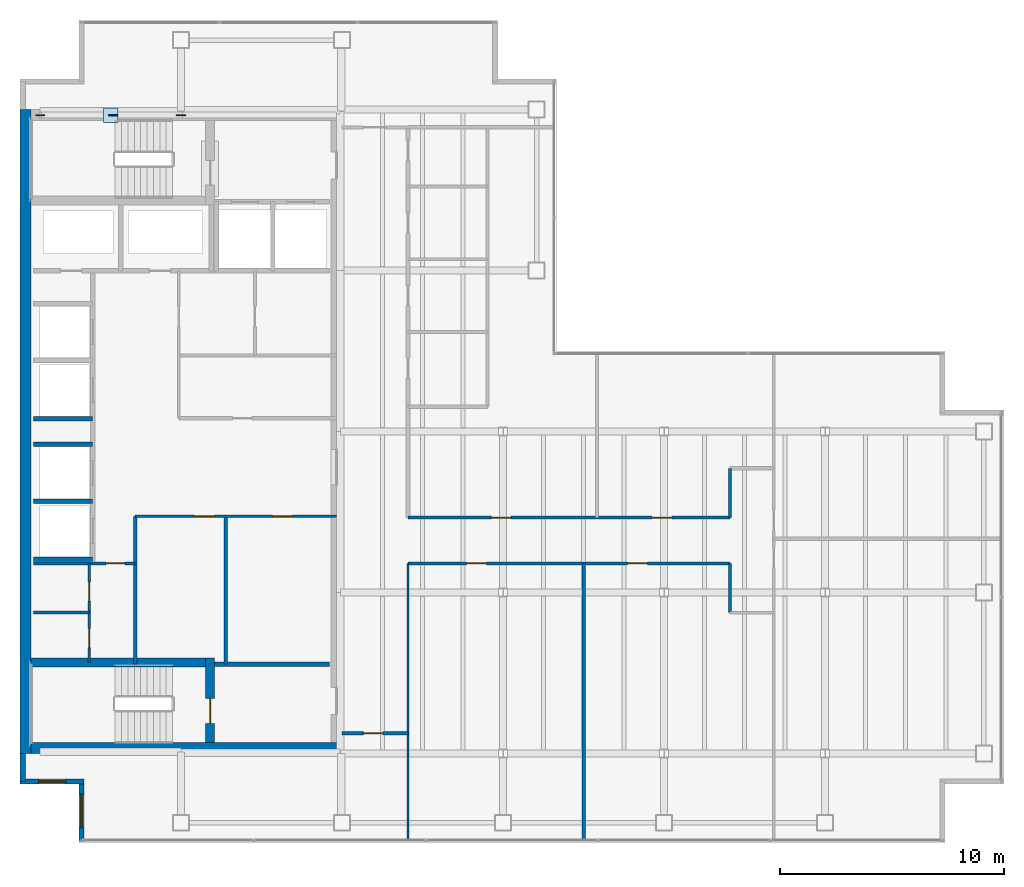
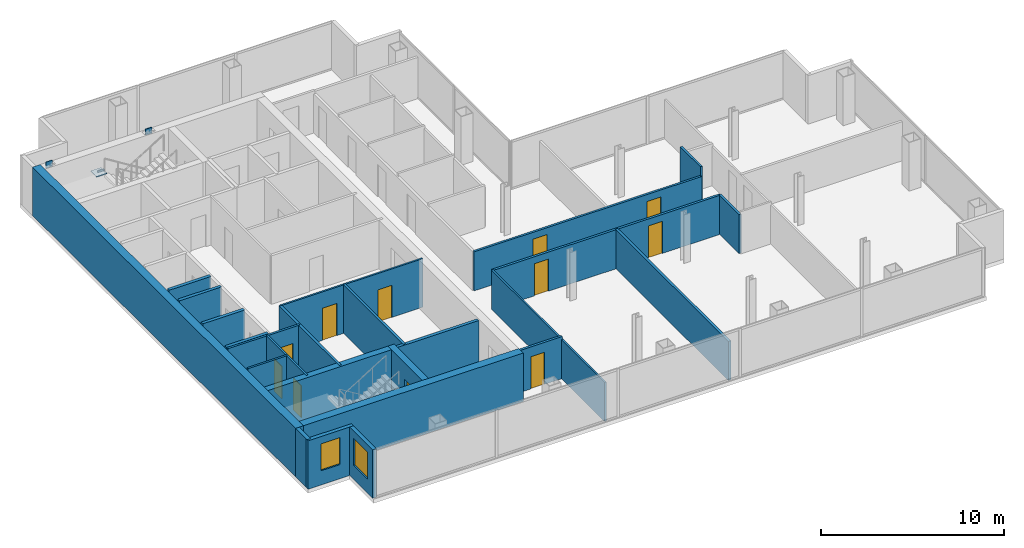
# One storey, part 20 of 23: 26 walls, 11 doors, 4 plates, 2 windows, 13 openings.
"""IFC4 building model written with IfcOpenShell, lengths in metres."""

from ifc_helpers import new_model, si_unit, direction, frame, frame_2d, origin, origin_2d, place, context, subcontext, project, spatial, rectangle, extrude, material, layer, layer_set, type_object, element, fill, save


model = new_model("IFC4")

# Units and contexts
model_context = context("Model", 3, precision=1e-05, world=origin(), true_north=direction((0.0, 1.0)))
body_context = subcontext(model_context, "Body", "Model", "MODEL_VIEW")
ifc_project = project(units=[si_unit("LENGTHUNIT", "METRE"), si_unit("AREAUNIT", "SQUARE_METRE"), si_unit("VOLUMEUNIT", "CUBIC_METRE"), si_unit("PLANEANGLEUNIT", "RADIAN"), si_unit("MASSUNIT", "GRAM", prefix="KILO")], contexts=[model_context])

# Site, building, storey
site_placement = place(None, origin())
site = spatial("IfcSite", under=ifc_project, at=site_placement, CompositionType="ELEMENT")
building_placement = place(site_placement, origin())
building = spatial("IfcBuilding", under=site, at=building_placement, Name="Cobrela Telecom Tower", CompositionType="ELEMENT")
storey_placement = place(building_placement, frame((0.0, 0.0, 211.75)))
storey = spatial("IfcBuildingStorey", under=building, at=storey_placement, Name="L54", CompositionType="ELEMENT", Elevation=211.75)

# Plates
ifc_material_1 = material(Name="Steel ASTM A572 Grade 50", Category="steel")
ifc_layer_1 = layer(ifc_material_1, 0.0419921875)
ifc_layer_set_1 = layer_set([ifc_layer_1], Name="Steel ASTM A572 Grade 50")
plate_type = type_object("IfcPlateType", Name="PLT-NODE-ND1", PredefinedType="USERDEFINED", material=ifc_layer_set_1)
for number, where, z_axis, x_axis, name in (
    (1, (7.199951171875, 35.75, 3.0751953125), (0.0, 0.0, 1.0), (1.0, 0.0, 0.0), "Steel node plate PLT-MBR-EXO-L54-N1-A-1"),
    (2, (4.173828125, 35.75, 1.349609375), (0.0, 0.0, 1.0), (-1.0, 0.0, 0.0), "Steel node plate PLT-MBR-EXO-L54-N1-B1-1"),
    (3, (0.89990234375, 35.75, 3.0751953125), (0.0, 0.0, 1.0), (-1.0, 0.0, 0.0), "Steel node plate PLT-MBR-EXO-L54-N1-B2-1"),
):
    element("IfcPlate", number, at=place(storey_placement, frame(where, z_axis=z_axis, x_axis=x_axis)), inside=storey, type_object=plate_type, Name=name, ObjectType="GUSSET PLATE", PredefinedType="USERDEFINED", context=body_context, shape_type="SweptSolid", body=[
        extrude(rectangle(XDim=0.409912109375, YDim=0.044921875, at=origin_2d()), origin(), (0.0, 0.0, 1.0), 0.409912109375),
    ])
plate_placement = place(storey_placement, frame((4.050048828125, 35.75, 1.59765625), z_axis=(0.0, 0.0, 1.0), x_axis=(1.0, 0.0, 0.0)))
element("IfcPlate", 4, at=plate_placement, inside=storey, type_object=plate_type, Name="L54 Core Flange Steel X-Brace Central X-Crossing Gusset Plate", ObjectType="GUSSET PLATE", PredefinedType="USERDEFINED", context=body_context, shape_type="SweptSolid", body=[
    extrude(rectangle(XDim=0.64990234375, YDim=0.64990234375, at=origin_2d()), origin(), (0.0, 0.0, 1.0), 0.044921875),
])

# Walls
ifc_material_2 = material(Name="Concrete C40/50", Category="concrete")
ifc_layer_2 = layer(ifc_material_2, 0.5)
ifc_layer_set_2 = layer_set([ifc_layer_2], Name="Concrete C40/50")
wall_type_1 = type_object("IfcWallType", Name="WALL-CORE-C40-500", PredefinedType="SHEAR", material=ifc_layer_set_2)
wall_1_placement = place(storey_placement, frame((0.25, 7.199951171875, 0.0), z_axis=(0.0, 0.0, 1.0), x_axis=(0.0, 1.0, 0.0)))
element("IfcWall", 5, at=wall_1_placement, inside=storey, type_object=wall_type_1, Name="L54 West Core Shear Wall", PredefinedType="SHEAR", context=body_context, shape_type="SweptSolid", body=[
    extrude(rectangle(XDim=28.800048828125, YDim=0.5, at=frame_2d((14.39990234375, 0.0))), origin(), (0.0, 0.0, 1.0), 3.239990234375),
])
wall_2_placement = place(storey_placement, frame((0.5, 7.449951171875, 0.0), z_axis=(0.0, 0.0, 1.0), x_axis=(1.0, 0.0, 0.0)))
element("IfcWall", 6, at=wall_2_placement, inside=storey, type_object=wall_type_1, Name="L54 South Core Shear Wall", PredefinedType="SHEAR", context=body_context, shape_type="SweptSolid", body=[
    extrude(rectangle(XDim=13.89990234375, YDim=0.5, at=frame_2d((6.949951171875, 0.0))), origin(), (0.0, 0.0, 1.0), 3.239990234375),
])

# Wall, opening, window
ifc_layer_3 = layer(ifc_material_2, 0.239990234375)
ifc_layer_set_3 = layer_set([ifc_layer_3], Name="Concrete C40/50")
wall_type_2 = type_object("IfcWallType", Name="WALL-EXT-300", PredefinedType="STANDARD", material=ifc_layer_set_3)
wall_3_placement = place(storey_placement, frame((2.75, 3.320068359375, 0.0), z_axis=(0.0, 0.0, 1.0), x_axis=(0.0, 1.0, 0.0)))
wall_3 = element("IfcWall", 7, at=wall_3_placement, inside=storey, type_object=wall_type_2, Name="L54 Insulated Facade Wall 01", PredefinedType="STANDARD", context=body_context, shape_type="SweptSolid", body=[
    extrude(rectangle(XDim=2.6298828125, YDim=0.239990234375, at=frame_2d((1.31494140625, 0.0))), origin(), (0.0, 0.0, 1.0), 3.239990234375),
])
opening_1_placement = place(wall_3_placement, frame((0.56494140625, 0.0, 0.949951171875)))
opening_1 = element("IfcOpeningElement", 8, at=opening_1_placement, cuts=wall_3, Name="Opening WN-45", PredefinedType="OPENING", context=body_context, shape_type="SweptSolid", body=[
    extrude(rectangle(XDim=1.5, YDim=1.800048828125, at=frame_2d((0.75, 0.89990234375))), frame((0.0, 0.1318359375, 0.0), z_axis=(0.0, -1.0, 0.0), x_axis=(1.0, 0.0, 0.0)), (0.0, 0.0, 1.0), 0.263916015625),
])
ifc_material_3 = material(Name="Solar-Control Bronze Low-E Glass", Category="glass")
window_type_1 = type_object("IfcWindowType", Name="WIN-MOD-1500", PartitioningType="SINGLE_PANEL", PredefinedType="WINDOW", material=ifc_material_3)
window_1_placement = place(opening_1_placement, origin())
window_1 = element("IfcWindow", 9, at=window_1_placement, inside=storey, type_object=window_type_1, Name="L54 Corner Notch Facade Window 259", OverallHeight=1.800048828125, OverallWidth=1.5, PartitioningType="SINGLE_PANEL", PredefinedType="WINDOW", context=body_context, shape_type="SweptSolid", body=[
    extrude(rectangle(XDim=1.5, YDim=1.800048828125, at=frame_2d((0.75, 0.89990234375))), frame((0.0, 0.030029296875, 0.0), z_axis=(0.0, -1.0, 0.0), x_axis=(1.0, 0.0, 0.0)), (0.0, 0.0, 1.0), 0.06005859375),
])
fill(opening_1, window_1)

wall_4_placement = place(storey_placement, frame((2.8701171875, 5.949951171875, 0.0), z_axis=(0.0, 0.0, 1.0), x_axis=(-1.0, 0.0, 0.0)))
wall_4 = element("IfcWall", 10, at=wall_4_placement, inside=storey, type_object=wall_type_2, Name="L54 Insulated Facade Wall 02", PredefinedType="STANDARD", context=body_context, shape_type="SweptSolid", body=[
    extrude(rectangle(XDim=2.8701171875, YDim=0.239990234375, at=frame_2d((1.43505859375, 0.0))), origin(), (0.0, 0.0, 1.0), 3.239990234375),
])
opening_2_placement = place(wall_4_placement, frame((0.8349609375, 0.0, 0.949951171875)))
opening_2 = element("IfcOpeningElement", 11, at=opening_2_placement, cuts=wall_4, Name="Opening WN-19", PredefinedType="OPENING", context=body_context, shape_type="SweptSolid", body=[
    extrude(rectangle(XDim=1.199951171875, YDim=1.800048828125, at=frame_2d((0.60009765625, 0.89990234375))), frame((0.0, 0.1318359375, 0.0), z_axis=(0.0, -1.0, 0.0), x_axis=(1.0, 0.0, 0.0)), (0.0, 0.0, 1.0), 0.263916015625),
])
window_type_2 = type_object("IfcWindowType", Name="WIN-MOD-1200", PartitioningType="SINGLE_PANEL", PredefinedType="WINDOW", material=ifc_material_3)
window_2_placement = place(opening_2_placement, origin())
window_2 = element("IfcWindow", 12, at=window_2_placement, inside=storey, type_object=window_type_2, Name="L54 Corner Notch Facade Window 260", OverallHeight=1.800048828125, OverallWidth=1.199951171875, PartitioningType="SINGLE_PANEL", PredefinedType="WINDOW", context=body_context, shape_type="SweptSolid", body=[
    extrude(rectangle(XDim=1.199951171875, YDim=1.800048828125, at=frame_2d((0.60009765625, 0.89990234375))), frame((0.0, 0.030029296875, 0.0), z_axis=(0.0, -1.0, 0.0), x_axis=(1.0, 0.0, 0.0)), (0.0, 0.0, 1.0), 0.06005859375),
])
fill(opening_2, window_2)

# Wall
wall_5_placement = place(storey_placement, frame((0.1201171875, 5.949951171875, 0.0), z_axis=(0.0, 0.0, 1.0), x_axis=(0.0, 1.0, 0.0)))
element("IfcWall", 13, at=wall_5_placement, inside=storey, type_object=wall_type_2, Name="L54 Insulated Facade Wall 03", PredefinedType="STANDARD", context=body_context, shape_type="SweptSolid", body=[
    extrude(rectangle(XDim=1.25, YDim=0.239990234375, at=frame_2d((0.625, 0.0))), origin(), (0.0, 0.0, 1.0), 3.239990234375),
])

# Wall, openings, doors
ifc_material_4 = material(Name="Fire-Rated Gypsum Plasterboard")
ifc_layer_4 = layer(ifc_material_4, 0.110107421875)
ifc_layer_set_4 = layer_set([ifc_layer_4], Name="Fire-Rated Gypsum Plasterboard")
wall_type_3 = type_object("IfcWallType", Name="WALL-PART-110", PredefinedType="PARTITIONING", material=ifc_layer_set_4)
wall_6_placement = place(storey_placement, frame((5.14990234375, 17.800048828125, 0.0), z_axis=(0.0, 0.0, 1.0), x_axis=(1.0, 0.0, 0.0)))
wall_6 = element("IfcWall", 14, at=wall_6_placement, inside=storey, type_object=wall_type_3, Name="L54 Interior Partition CW-RECM-N", PredefinedType="PARTITIONING", context=body_context, shape_type="SweptSolid", body=[
    extrude(rectangle(XDim=9.0, YDim=0.110107421875, at=frame_2d((4.5, 0.0))), origin(), (0.0, 0.0, 1.0), 3.239990234375),
])
opening_3_placement = place(wall_6_placement, frame((2.64990234375, 0.0, 0.0)))
opening_3 = element("IfcOpeningElement", 15, at=opening_3_placement, cuts=wall_6, Name="Opening DR-41", PredefinedType="OPENING", context=body_context, shape_type="SweptSolid", body=[
    extrude(rectangle(XDim=0.89990234375, YDim=2.14990234375, at=frame_2d((0.449951171875, 1.074951171875))), frame((0.0, 0.06689453125, 0.0), z_axis=(0.0, -1.0, 0.0), x_axis=(1.0, 0.0, 0.0)), (0.0, 0.0, 1.0), 0.134033203125),
])
opening_4_placement = place(wall_6_placement, frame((6.14990234375, 0.0, 0.0)))
opening_4 = element("IfcOpeningElement", 16, at=opening_4_placement, cuts=wall_6, Name="Opening DR-39", PredefinedType="OPENING", context=body_context, shape_type="SweptSolid", body=[
    extrude(rectangle(XDim=0.8798828125, YDim=2.14990234375, at=frame_2d((0.43994140625, 1.074951171875))), frame((0.0, 0.06689453125, 0.0), z_axis=(0.0, -1.0, 0.0), x_axis=(1.0, 0.0, 0.0)), (0.0, 0.0, 1.0), 0.134033203125),
])
ifc_material_5 = material(Name="Solid Engineered Oak Timber", Category="wood")
door_type_1 = type_object("IfcDoorType", Name="DOOR-INT-880", OperationType="SINGLE_SWING_LEFT", PredefinedType="DOOR", material=ifc_material_5)
door_1_placement = place(opening_4_placement, origin())
door_1 = element("IfcDoor", 17, at=door_1_placement, inside=storey, type_object=door_type_1, Name="L54 Door DR-39", OperationType="SINGLE_SWING_RIGHT", OverallHeight=2.14990234375, OverallWidth=0.8798828125, PredefinedType="DOOR", context=body_context, shape_type="SweptSolid", body=[
    extrude(rectangle(XDim=0.8798828125, YDim=2.14990234375, at=frame_2d((0.43994140625, 1.074951171875))), frame((0.0, 0.02490234375, 0.0), z_axis=(0.0, -1.0, 0.0), x_axis=(1.0, 0.0, 0.0)), (0.0, 0.0, 1.0), 0.050048828125),
])
fill(opening_4, door_1)
door_type_2 = type_object("IfcDoorType", Name="DOOR-INT-900", OperationType="SINGLE_SWING_LEFT", PredefinedType="DOOR", material=ifc_material_5)
door_2_placement = place(opening_3_placement, origin())
door_2 = element("IfcDoor", 18, at=door_2_placement, inside=storey, type_object=door_type_2, Name="L54 Door DR-41", OperationType="SINGLE_SWING_LEFT", OverallHeight=2.14990234375, OverallWidth=0.89990234375, PredefinedType="DOOR", context=body_context, shape_type="SweptSolid", body=[
    extrude(rectangle(XDim=0.89990234375, YDim=2.14990234375, at=frame_2d((0.449951171875, 1.074951171875))), frame((0.0, 0.02490234375, 0.0), z_axis=(0.0, -1.0, 0.0), x_axis=(1.0, 0.0, 0.0)), (0.0, 0.0, 1.0), 0.050048828125),
])
fill(opening_3, door_2)

# Walls
wall_7_placement = place(storey_placement, frame((17.35009765625, 8.10009765625, 0.0), z_axis=(0.0, 0.0, 1.0), x_axis=(0.0, 1.0, 0.0)))
element("IfcWall", 19, at=wall_7_placement, inside=storey, type_object=wall_type_3, Name="L54 Interior Partition W-C-E1", PredefinedType="PARTITIONING", context=body_context, shape_type="SweptSolid", body=[
    extrude(rectangle(XDim=7.599853515625, YDim=0.110107421875, at=frame_2d((3.7998046875, 0.0))), origin(), (0.0, 0.0, 1.0), 2.613037109375),
])
wall_8_placement = place(storey_placement, frame((17.35009765625, 3.320068359375, 0.0), z_axis=(0.0, 0.0, 1.0), x_axis=(0.0, 1.0, 0.0)))
element("IfcWall", 20, at=wall_8_placement, inside=storey, type_object=wall_type_3, Name="L54 Interior Partition W-SW-E", PredefinedType="PARTITIONING", context=body_context, shape_type="SweptSolid", body=[
    extrude(rectangle(XDim=4.780029296875, YDim=0.110107421875, at=frame_2d((2.39013671875, 0.0))), origin(), (0.0, 0.0, 1.0), 2.613037109375),
])
ifc_layer_5 = layer(ifc_material_4, 0.125)
ifc_layer_set_5 = layer_set([ifc_layer_5], Name="Fire-Rated Gypsum Plasterboard")
wall_type_4 = type_object("IfcWallType", Name="WALL-PART-125", PredefinedType="PARTITIONING", material=ifc_layer_set_5)
wall_9_placement = place(storey_placement, frame((0.60009765625, 13.5, 0.0), z_axis=(0.0, 0.0, 1.0), x_axis=(1.0, 0.0, 0.0)))
element("IfcWall", 21, at=wall_9_placement, inside=storey, type_object=wall_type_4, Name="L54 Interior Partition CW-FK3-H", PredefinedType="PARTITIONING", context=body_context, shape_type="SweptSolid", body=[
    extrude(rectangle(XDim=2.5, YDim=0.125, at=frame_2d((1.25, 0.0))), origin(), (0.0, 0.0, 1.0), 3.239990234375),
])

# Wall, openings, doors
wall_10_placement = place(storey_placement, frame((3.10009765625, 11.280029296875, 0.0), z_axis=(0.0, 0.0, 1.0), x_axis=(0.0, 1.0, 0.0)))
wall_10 = element("IfcWall", 22, at=wall_10_placement, inside=storey, type_object=wall_type_4, Name="L54 Interior Partition CW-FK3-V", PredefinedType="PARTITIONING", context=body_context, shape_type="SweptSolid", body=[
    extrude(rectangle(XDim=4.419921875, YDim=0.125, at=frame_2d((2.2099609375, 0.0))), origin(), (0.0, 0.0, 1.0), 3.239990234375),
])
opening_5_placement = place(wall_10_placement, frame((0.64990234375, 0.0, 0.0)))
opening_5 = element("IfcOpeningElement", 23, at=opening_5_placement, cuts=wall_10, Name="Opening DR-11", PredefinedType="OPENING", context=body_context, shape_type="SweptSolid", body=[
    extrude(rectangle(XDim=0.85009765625, YDim=2.14990234375, at=frame_2d((0.425048828125, 1.074951171875))), frame((0.0, 0.074462890625, 0.0), z_axis=(0.0, -1.0, 0.0), x_axis=(1.0, 0.0, 0.0)), (0.0, 0.0, 1.0), 0.14892578125),
])
opening_6_placement = place(wall_10_placement, frame((2.75, 0.0, 0.0)))
opening_6 = element("IfcOpeningElement", 24, at=opening_6_placement, cuts=wall_10, Name="Opening DR-11", PredefinedType="OPENING", context=body_context, shape_type="SweptSolid", body=[
    extrude(rectangle(XDim=0.85009765625, YDim=2.14990234375, at=frame_2d((0.425048828125, 1.074951171875))), frame((0.0, 0.074462890625, 0.0), z_axis=(0.0, -1.0, 0.0), x_axis=(1.0, 0.0, 0.0)), (0.0, 0.0, 1.0), 0.14892578125),
])
door_type_3 = type_object("IfcDoorType", Name="DOOR-INT-850", OperationType="SINGLE_SWING_LEFT", PredefinedType="DOOR", material=ifc_material_5)
door_3_placement = place(opening_5_placement, origin())
door_3 = element("IfcDoor", 25, at=door_3_placement, inside=storey, type_object=door_type_3, Name="L54 Door DR-11", OperationType="SINGLE_SWING_LEFT", OverallHeight=2.14990234375, OverallWidth=0.85009765625, PredefinedType="DOOR", context=body_context, shape_type="SweptSolid", body=[
    extrude(rectangle(XDim=0.85009765625, YDim=2.14990234375, at=frame_2d((0.425048828125, 1.074951171875))), frame((0.0, 0.02490234375, 0.0), z_axis=(0.0, -1.0, 0.0), x_axis=(1.0, 0.0, 0.0)), (0.0, 0.0, 1.0), 0.050048828125),
])
fill(opening_5, door_3)
door_4_placement = place(opening_6_placement, origin())
door_4 = element("IfcDoor", 26, at=door_4_placement, inside=storey, type_object=door_type_3, Name="L54 Door DR-11", OperationType="SINGLE_SWING_RIGHT", OverallHeight=2.14990234375, OverallWidth=0.85009765625, PredefinedType="DOOR", context=body_context, shape_type="SweptSolid", body=[
    extrude(rectangle(XDim=0.85009765625, YDim=2.14990234375, at=frame_2d((0.425048828125, 1.074951171875))), frame((0.0, 0.02490234375, 0.0), z_axis=(0.0, -1.0, 0.0), x_axis=(1.0, 0.0, 0.0)), (0.0, 0.0, 1.0), 0.050048828125),
])
fill(opening_6, door_4)

# Wall, opening, door
ifc_layer_6 = layer(ifc_material_4, 0.135009765625)
ifc_layer_set_6 = layer_set([ifc_layer_6], Name="Fire-Rated Gypsum Plasterboard")
wall_type_5 = type_object("IfcWallType", Name="WALL-PART-135", PredefinedType="PARTITIONING", material=ifc_layer_set_6)
wall_11_placement = place(storey_placement, frame((0.60009765625, 15.699951171875, 0.0), z_axis=(0.0, 0.0, 1.0), x_axis=(1.0, 0.0, 0.0)))
wall_11 = element("IfcWall", 27, at=wall_11_placement, inside=storey, type_object=wall_type_5, Name="L54 Interior Partition CW-FLEX-N", PredefinedType="PARTITIONING", context=body_context, shape_type="SweptSolid", body=[
    extrude(rectangle(XDim=4.5498046875, YDim=0.135009765625, at=frame_2d((2.27490234375, 0.0))), origin(), (0.0, 0.0, 1.0), 3.239990234375),
])
opening_7_placement = place(wall_11_placement, frame((3.25, 0.0, 0.0)))
opening_7 = element("IfcOpeningElement", 28, at=opening_7_placement, cuts=wall_11, Name="Opening DR-11", PredefinedType="OPENING", context=body_context, shape_type="SweptSolid", body=[
    extrude(rectangle(XDim=0.85009765625, YDim=2.14990234375, at=frame_2d((0.425048828125, 1.074951171875))), frame((0.0, 0.07958984375, 0.0), z_axis=(0.0, -1.0, 0.0), x_axis=(1.0, 0.0, 0.0)), (0.0, 0.0, 1.0), 0.158935546875),
])
door_5_placement = place(opening_7_placement, origin())
door_5 = element("IfcDoor", 29, at=door_5_placement, inside=storey, type_object=door_type_3, Name="L54 Door DR-11", OperationType="SINGLE_SWING_LEFT", OverallHeight=2.14990234375, OverallWidth=0.85009765625, PredefinedType="DOOR", context=body_context, shape_type="SweptSolid", body=[
    extrude(rectangle(XDim=0.85009765625, YDim=2.14990234375, at=frame_2d((0.425048828125, 1.074951171875))), frame((0.0, 0.02490234375, 0.0), z_axis=(0.0, -1.0, 0.0), x_axis=(1.0, 0.0, 0.0)), (0.0, 0.0, 1.0), 0.050048828125),
])
fill(opening_7, door_5)

# Wall, openings, doors
wall_12_placement = place(storey_placement, frame((17.35009765625, 17.75, 0.0), z_axis=(0.0, 0.0, 1.0), x_axis=(1.0, 0.0, 0.0)))
wall_12 = element("IfcWall", 30, at=wall_12_placement, inside=storey, type_object=wall_type_5, Name="L54 Interior Partition W-C-HN", PredefinedType="PARTITIONING", context=body_context, shape_type="SweptSolid", body=[
    extrude(rectangle(XDim=14.39990234375, YDim=0.135009765625, at=frame_2d((7.199951171875, 0.0))), origin(), (0.0, 0.0, 1.0), 2.613037109375),
])
opening_8_placement = place(wall_12_placement, frame((3.72998046875, 0.0, 0.0)))
opening_8 = element("IfcOpeningElement", 31, at=opening_8_placement, cuts=wall_12, Name="Opening DR-39", PredefinedType="OPENING", context=body_context, shape_type="SweptSolid", body=[
    extrude(rectangle(XDim=0.8798828125, YDim=2.14990234375, at=frame_2d((0.43994140625, 1.074951171875))), frame((0.0, 0.07958984375, 0.0), z_axis=(0.0, -1.0, 0.0), x_axis=(1.0, 0.0, 0.0)), (0.0, 0.0, 1.0), 0.158935546875),
])
opening_9_placement = place(wall_12_placement, frame((10.919921875, 0.0, 0.0)))
opening_9 = element("IfcOpeningElement", 32, at=opening_9_placement, cuts=wall_12, Name="Opening DR-39", PredefinedType="OPENING", context=body_context, shape_type="SweptSolid", body=[
    extrude(rectangle(XDim=0.8798828125, YDim=2.14990234375, at=frame_2d((0.43994140625, 1.074951171875))), frame((0.0, 0.07958984375, 0.0), z_axis=(0.0, -1.0, 0.0), x_axis=(1.0, 0.0, 0.0)), (0.0, 0.0, 1.0), 0.158935546875),
])
door_6_placement = place(opening_8_placement, origin())
door_6 = element("IfcDoor", 33, at=door_6_placement, inside=storey, type_object=door_type_1, Name="L54 Door DR-39", OperationType="SINGLE_SWING_LEFT", OverallHeight=2.14990234375, OverallWidth=0.8798828125, PredefinedType="DOOR", context=body_context, shape_type="SweptSolid", body=[
    extrude(rectangle(XDim=0.8798828125, YDim=2.14990234375, at=frame_2d((0.43994140625, 1.074951171875))), frame((0.0, 0.02490234375, 0.0), z_axis=(0.0, -1.0, 0.0), x_axis=(1.0, 0.0, 0.0)), (0.0, 0.0, 1.0), 0.050048828125),
])
fill(opening_8, door_6)
door_7_placement = place(opening_9_placement, origin())
door_7 = element("IfcDoor", 34, at=door_7_placement, inside=storey, type_object=door_type_1, Name="L54 Door DR-39", OperationType="SINGLE_SWING_RIGHT", OverallHeight=2.14990234375, OverallWidth=0.8798828125, PredefinedType="DOOR", context=body_context, shape_type="SweptSolid", body=[
    extrude(rectangle(XDim=0.8798828125, YDim=2.14990234375, at=frame_2d((0.43994140625, 1.074951171875))), frame((0.0, 0.02490234375, 0.0), z_axis=(0.0, -1.0, 0.0), x_axis=(1.0, 0.0, 0.0)), (0.0, 0.0, 1.0), 0.050048828125),
])
fill(opening_9, door_7)

# Walls
wall_13_placement = place(storey_placement, frame((31.75, 17.75, 0.0), z_axis=(0.0, 0.0, 1.0), x_axis=(0.0, 1.0, 0.0)))
element("IfcWall", 35, at=wall_13_placement, inside=storey, type_object=wall_type_5, Name="L54 Interior Partition W-CT-JW2", PredefinedType="PARTITIONING", context=body_context, shape_type="SweptSolid", body=[
    extrude(rectangle(XDim=2.199951171875, YDim=0.135009765625, at=frame_2d((1.10009765625, 0.0))), origin(), (0.0, 0.0, 1.0), 3.239990234375),
])
ifc_layer_7 = layer(ifc_material_4, 0.14990234375)
ifc_layer_set_7 = layer_set([ifc_layer_7], Name="Fire-Rated Gypsum Plasterboard")
wall_type_6 = type_object("IfcWallType", Name="WALL-PART-150", PredefinedType="PARTITIONING", material=ifc_layer_set_7)
wall_14_placement = place(storey_placement, frame((9.199951171875, 11.199951171875, 0.0), z_axis=(0.0, 0.0, 1.0), x_axis=(0.0, 1.0, 0.0)))
element("IfcWall", 36, at=wall_14_placement, inside=storey, type_object=wall_type_6, Name="L54 Interior Partition CW-RECM-V", PredefinedType="PARTITIONING", context=body_context, shape_type="SweptSolid", body=[
    extrude(rectangle(XDim=6.60009765625, YDim=0.14990234375, at=frame_2d((3.300048828125, 0.0))), origin(), (0.0, 0.0, 1.0), 3.239990234375),
])

# Wall, opening, door
wall_15_placement = place(storey_placement, frame((14.39990234375, 8.10009765625, 0.0), z_axis=(0.0, 0.0, 1.0), x_axis=(1.0, 0.0, 0.0)))
wall_15 = element("IfcWall", 37, at=wall_15_placement, inside=storey, type_object=wall_type_6, Name="L54 Interior Partition W-C-S0", PredefinedType="PARTITIONING", context=body_context, shape_type="SweptSolid", body=[
    extrude(rectangle(XDim=2.9501953125, YDim=0.14990234375, at=frame_2d((1.47509765625, 0.0))), origin(), (0.0, 0.0, 1.0), 2.80810546875),
])
opening_10_placement = place(wall_15_placement, frame((0.949951171875, 0.0, 0.0)))
opening_10 = element("IfcOpeningElement", 38, at=opening_10_placement, cuts=wall_15, Name="Opening DR-39", PredefinedType="OPENING", context=body_context, shape_type="SweptSolid", body=[
    extrude(rectangle(XDim=0.8798828125, YDim=2.14990234375, at=frame_2d((0.43994140625, 1.074951171875))), frame((0.0, 0.0869140625, 0.0), z_axis=(0.0, -1.0, 0.0), x_axis=(1.0, 0.0, 0.0)), (0.0, 0.0, 1.0), 0.173828125),
])
door_8_placement = place(opening_10_placement, origin())
door_8 = element("IfcDoor", 39, at=door_8_placement, inside=storey, type_object=door_type_1, Name="L54 Door DR-39", OperationType="SINGLE_SWING_RIGHT", OverallHeight=2.14990234375, OverallWidth=0.8798828125, PredefinedType="DOOR", context=body_context, shape_type="SweptSolid", body=[
    extrude(rectangle(XDim=0.8798828125, YDim=2.14990234375, at=frame_2d((0.43994140625, 1.074951171875))), frame((0.0, 0.02490234375, 0.0), z_axis=(0.0, -1.0, 0.0), x_axis=(1.0, 0.0, 0.0)), (0.0, 0.0, 1.0), 0.050048828125),
])
fill(opening_10, door_8)

# Wall, openings, doors
wall_16_placement = place(storey_placement, frame((17.35009765625, 15.699951171875, 0.0), z_axis=(0.0, 0.0, 1.0), x_axis=(1.0, 0.0, 0.0)))
wall_16 = element("IfcWall", 40, at=wall_16_placement, inside=storey, type_object=wall_type_6, Name="L54 Interior Partition W-C-HS", PredefinedType="PARTITIONING", context=body_context, shape_type="SweptSolid", body=[
    extrude(rectangle(XDim=14.39990234375, YDim=0.14990234375, at=frame_2d((7.199951171875, 0.0))), origin(), (0.0, 0.0, 1.0), 2.613037109375),
])
opening_11_placement = place(wall_16_placement, frame((2.6201171875, 0.0, 0.0)))
opening_11 = element("IfcOpeningElement", 41, at=opening_11_placement, cuts=wall_16, Name="Opening DR-39", PredefinedType="OPENING", context=body_context, shape_type="SweptSolid", body=[
    extrude(rectangle(XDim=0.8798828125, YDim=2.14990234375, at=frame_2d((0.43994140625, 1.074951171875))), frame((0.0, 0.0869140625, 0.0), z_axis=(0.0, -1.0, 0.0), x_axis=(1.0, 0.0, 0.0)), (0.0, 0.0, 1.0), 0.173828125),
])
opening_12_placement = place(wall_16_placement, frame((9.820068359375, 0.0, 0.0)))
opening_12 = element("IfcOpeningElement", 42, at=opening_12_placement, cuts=wall_16, Name="Opening DR-39", PredefinedType="OPENING", context=body_context, shape_type="SweptSolid", body=[
    extrude(rectangle(XDim=0.8798828125, YDim=2.14990234375, at=frame_2d((0.43994140625, 1.074951171875))), frame((0.0, 0.0869140625, 0.0), z_axis=(0.0, -1.0, 0.0), x_axis=(1.0, 0.0, 0.0)), (0.0, 0.0, 1.0), 0.173828125),
])
door_9_placement = place(opening_11_placement, origin())
door_9 = element("IfcDoor", 43, at=door_9_placement, inside=storey, type_object=door_type_1, Name="L54 Door DR-39", OperationType="SINGLE_SWING_LEFT", OverallHeight=2.14990234375, OverallWidth=0.8798828125, PredefinedType="DOOR", context=body_context, shape_type="SweptSolid", body=[
    extrude(rectangle(XDim=0.8798828125, YDim=2.14990234375, at=frame_2d((0.43994140625, 1.074951171875))), frame((0.0, 0.02490234375, 0.0), z_axis=(0.0, -1.0, 0.0), x_axis=(1.0, 0.0, 0.0)), (0.0, 0.0, 1.0), 0.050048828125),
])
fill(opening_11, door_9)
door_10_placement = place(opening_12_placement, origin())
door_10 = element("IfcDoor", 44, at=door_10_placement, inside=storey, type_object=door_type_1, Name="L54 Door DR-39", OperationType="SINGLE_SWING_RIGHT", OverallHeight=2.14990234375, OverallWidth=0.8798828125, PredefinedType="DOOR", context=body_context, shape_type="SweptSolid", body=[
    extrude(rectangle(XDim=0.8798828125, YDim=2.14990234375, at=frame_2d((0.43994140625, 1.074951171875))), frame((0.0, 0.02490234375, 0.0), z_axis=(0.0, -1.0, 0.0), x_axis=(1.0, 0.0, 0.0)), (0.0, 0.0, 1.0), 0.050048828125),
])
fill(opening_12, door_10)

# Walls
wall_17_placement = place(storey_placement, frame((31.75, 13.5, 0.0), z_axis=(0.0, 0.0, 1.0), x_axis=(0.0, 1.0, 0.0)))
element("IfcWall", 45, at=wall_17_placement, inside=storey, type_object=wall_type_6, Name="L54 Interior Partition W-CT-JW1", PredefinedType="PARTITIONING", context=body_context, shape_type="SweptSolid", body=[
    extrude(rectangle(XDim=2.199951171875, YDim=0.14990234375, at=frame_2d((1.10009765625, 0.0))), origin(), (0.0, 0.0, 1.0), 2.613037109375),
])
ifc_layer_8 = layer(ifc_material_4, 0.159912109375)
ifc_layer_set_8 = layer_set([ifc_layer_8], Name="Fire-Rated Gypsum Plasterboard")
wall_type_7 = type_object("IfcWallType", Name="WALL-PART-160", PredefinedType="PARTITIONING", material=ifc_layer_set_8)
wall_18_placement = place(storey_placement, frame((5.14990234375, 11.199951171875, 0.0), z_axis=(0.0, 0.0, 1.0), x_axis=(0.0, 1.0, 0.0)))
element("IfcWall", 46, at=wall_18_placement, inside=storey, type_object=wall_type_7, Name="L54 Interior Partition CW-RECM-W", PredefinedType="PARTITIONING", context=body_context, shape_type="SweptSolid", body=[
    extrude(rectangle(XDim=6.60009765625, YDim=0.159912109375, at=frame_2d((3.300048828125, 0.0))), origin(), (0.0, 0.0, 1.0), 3.239990234375),
])
wall_19_placement = place(storey_placement, frame((25.199951171875, 3.320068359375, 0.0), z_axis=(0.0, 0.0, 1.0), x_axis=(0.0, 1.0, 0.0)))
element("IfcWall", 47, at=wall_19_placement, inside=storey, type_object=wall_type_7, Name="L54 Interior Partition W-SV-1", PredefinedType="PARTITIONING", context=body_context, shape_type="SweptSolid", body=[
    extrude(rectangle(XDim=12.3798828125, YDim=0.159912109375, at=frame_2d((6.18994140625, 0.0))), origin(), (0.0, 0.0, 1.0), 2.613037109375),
])
ifc_layer_9 = layer(ifc_material_4, 0.199951171875)
ifc_layer_set_9 = layer_set([ifc_layer_9], Name="Fire-Rated Gypsum Plasterboard")
wall_type_8 = type_object("IfcWallType", Name="WALL-SHAFT-200", PredefinedType="PARTITIONING", material=ifc_layer_set_9)
wall_20_placement = place(storey_placement, frame((8.699951171875, 11.199951171875, 0.0), z_axis=(0.0, 0.0, 1.0), x_axis=(1.0, 0.0, 0.0)))
element("IfcWall", 48, at=wall_20_placement, inside=storey, type_object=wall_type_8, Name="L54 Shaft Enclosure CW-ST2L-N", PredefinedType="PARTITIONING", context=body_context, shape_type="SweptSolid", body=[
    extrude(rectangle(XDim=5.150146484375, YDim=0.199951171875, at=frame_2d((2.5751953125, 0.0))), origin(), (0.0, 0.0, 1.0), 3.239990234375),
])
for number, where, z_axis, x_axis, name in (
    (49, (0.60009765625, 15.8798828125, 0.0), (0.0, 0.0, 1.0), (1.0, 0.0, 0.0), "L54 Shaft Enclosure CW-PLH-D9"),
    (50, (0.60009765625, 18.47998046875, 0.0), (0.0, 0.0, 1.0), (1.0, 0.0, 0.0), "L54 Shaft Enclosure CW-PLH-D10"),
    (51, (0.60009765625, 22.179931640625, 0.0), (0.0, 0.0, 1.0), (1.0, 0.0, 0.0), "L54 Shaft Enclosure CW-PLH-D11"),
    (52, (0.60009765625, 21.02001953125, 0.0), (0.0, 0.0, 1.0), (1.0, 0.0, 0.0), "L54 Shaft Enclosure CW-PLH-MID"),
):
    element("IfcWall", number, at=place(storey_placement, frame(where, z_axis=z_axis, x_axis=x_axis)), inside=storey, type_object=wall_type_8, Name=name, PredefinedType="PARTITIONING", context=body_context, shape_type="SweptSolid", body=[
        extrude(rectangle(XDim=2.64990234375, YDim=0.199951171875, at=frame_2d((1.324951171875, 0.0))), origin(), (0.0, 0.0, 1.0), 3.239990234375),
    ])
ifc_layer_10 = layer(ifc_material_2, 0.39990234375)
ifc_layer_set_10 = layer_set([ifc_layer_10], Name="Concrete C40/50")
wall_type_9 = type_object("IfcWallType", Name="WALL-SHAFT-C40-400", PredefinedType="SHEAR", material=ifc_layer_set_10)
wall_21_placement = place(storey_placement, frame((0.5, 11.280029296875, 0.0), z_axis=(0.0, 0.0, 1.0), x_axis=(1.0, 0.0, 0.0)))
element("IfcWall", 53, at=wall_21_placement, inside=storey, type_object=wall_type_9, Name="L54 South Stair Shear Wall", PredefinedType="SHEAR", context=body_context, shape_type="SweptSolid", body=[
    extrude(rectangle(XDim=7.800048828125, YDim=0.39990234375, at=frame_2d((3.89990234375, 0.0))), origin(), (0.0, 0.0, 1.0), 3.239990234375),
])

# Wall, opening, door
wall_22_placement = place(storey_placement, frame((8.5, 7.699951171875, 0.0), z_axis=(0.0, 0.0, 1.0), x_axis=(0.0, 1.0, 0.0)))
wall_22 = element("IfcWall", 54, at=wall_22_placement, inside=storey, type_object=wall_type_9, Name="L54 South Stair Lobby Shear Wall", PredefinedType="SHEAR", context=body_context, shape_type="SweptSolid", body=[
    extrude(rectangle(XDim=3.780029296875, YDim=0.39990234375, at=frame_2d((1.89013671875, 0.0))), origin(), (0.0, 0.0, 1.0), 3.239990234375),
])
opening_13_placement = place(wall_22_placement, frame((0.85009765625, 0.0, 0.0)))
opening_13 = element("IfcOpeningElement", 55, at=opening_13_placement, cuts=wall_22, Name="Opening FD-90", PredefinedType="OPENING", context=body_context, shape_type="SweptSolid", body=[
    extrude(rectangle(XDim=1.10009765625, YDim=2.14990234375, at=frame_2d((0.550048828125, 1.074951171875))), frame((0.0, 0.2119140625, 0.0), z_axis=(0.0, -1.0, 0.0), x_axis=(1.0, 0.0, 0.0)), (0.0, 0.0, 1.0), 0.423828125),
])
ifc_material_6 = material(Name="Steel ASTM A36", Category="steel")
door_type_4 = type_object("IfcDoorType", Name="DOOR-FD90-1100", OperationType="SINGLE_SWING_LEFT", PredefinedType="DOOR", material=ifc_material_6)
door_11_placement = place(opening_13_placement, origin())
door_11 = element("IfcDoor", 56, at=door_11_placement, inside=storey, type_object=door_type_4, Name="L54 Door FD-90", OperationType="SINGLE_SWING_LEFT", OverallHeight=2.14990234375, OverallWidth=1.10009765625, PredefinedType="DOOR", context=body_context, shape_type="SweptSolid", body=[
    extrude(rectangle(XDim=1.10009765625, YDim=2.14990234375, at=frame_2d((0.550048828125, 1.074951171875))), frame((0.0, 0.02490234375, 0.0), z_axis=(0.0, -1.0, 0.0), x_axis=(1.0, 0.0, 0.0)), (0.0, 0.0, 1.0), 0.050048828125),
])
fill(opening_13, door_11)

save(model, "model.ifc")
